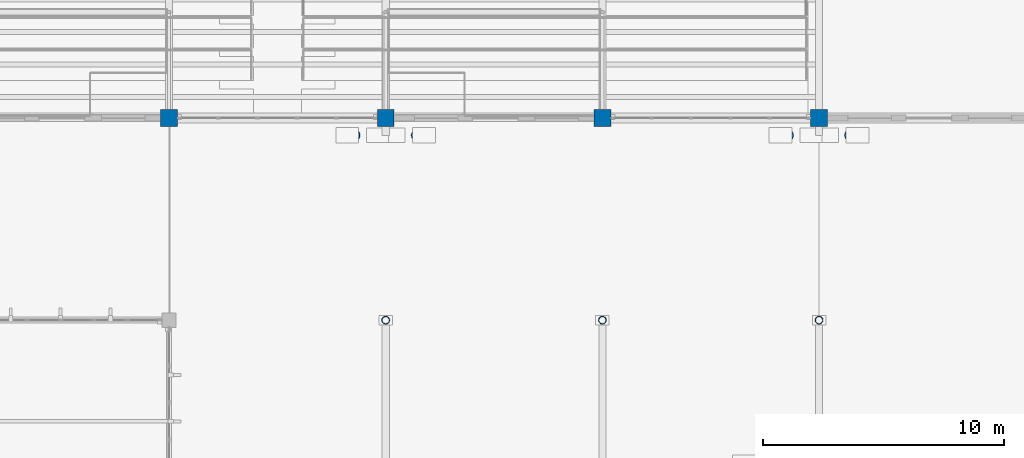
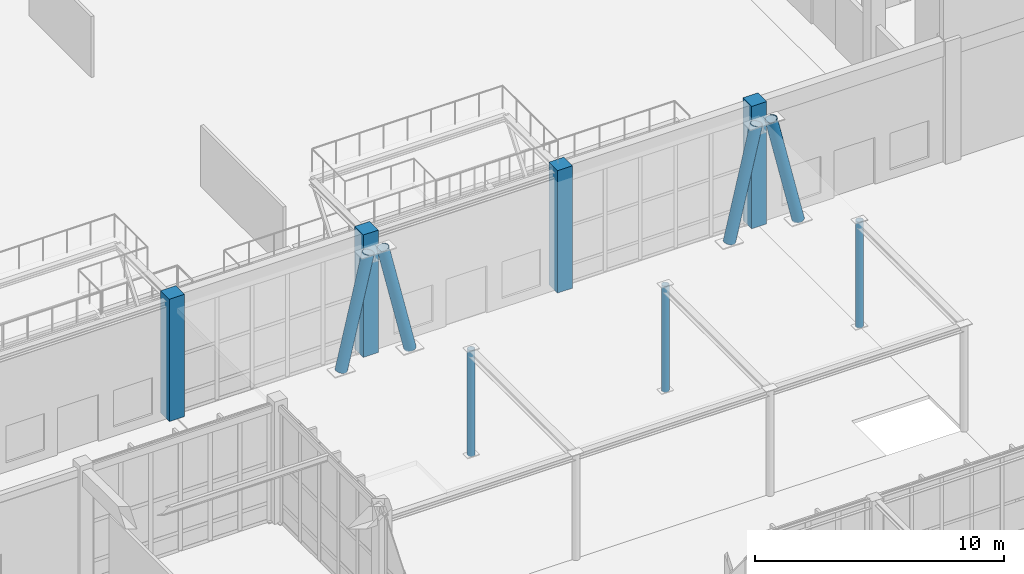
# One storey, part 7 of 110: 11 columns.
"""IFC4 building model written with IfcOpenShell, lengths in metres."""

from ifc_helpers import new_model, si_unit, direction, frame, origin, origin_2d, place, context, subcontext, project, spatial, rectangle, hollow_circle, extrude, material, material_profile, profile_set, type_object, element, save


model = new_model("IFC4")

# Units and contexts
model_context = context("Model", 3, precision=1e-05, world=origin(), true_north=direction((0.0, 1.0)))
body_context = subcontext(model_context, "Body", "Model", "MODEL_VIEW")
ifc_project = project(units=[si_unit("LENGTHUNIT", "METRE"), si_unit("AREAUNIT", "SQUARE_METRE"), si_unit("VOLUMEUNIT", "CUBIC_METRE"), si_unit("PLANEANGLEUNIT", "RADIAN"), si_unit("MASSUNIT", "GRAM", prefix="KILO")], contexts=[model_context])

# Site, building, storey
site_placement = place(None, origin())
site = spatial("IfcSite", under=ifc_project, at=site_placement, CompositionType="ELEMENT")
building_placement = place(site_placement, origin())
building = spatial("IfcBuilding", under=site, at=building_placement, Name="Tizgana Railside Sports Hall", CompositionType="ELEMENT")
storey_placement = place(building_placement, origin())
storey = spatial("IfcBuildingStorey", under=building, at=storey_placement, Name="L00", CompositionType="ELEMENT", Elevation=0.0)

# Columns
ifc_material_1 = material(Name="Concrete C40/50", Category="concrete")
ifc_material_profile_1 = material_profile(ifc_material_1, rectangle(XDim=0.699951171875, YDim=0.699951171875, at=origin_2d()), Name="RC 700x700")
ifc_profile_set_1 = profile_set([ifc_material_profile_1], Name="Concrete C40/50")
column_type_1 = type_object("IfcColumnType", Name="Concrete Column RC 700x700", PredefinedType="COLUMN", material=ifc_profile_set_1)
for number, where, z_axis, x_axis, name in (
    (1, (97.800048828125, 40.800048828125, 0.0), (0.0, 0.0, 1.0), (1.0, 0.0, 0.0), "L00 COL-0301"),
    (2, (106.800048828125, 40.800048828125, 0.0), (0.0, 0.0, 1.0), (1.0, 0.0, 0.0), "L00 COL-0322"),
    (3, (115.800048828125, 40.800048828125, 0.0), (0.0, 0.0, 1.0), (1.0, 0.0, 0.0), "L00 COL-0347"),
    (4, (124.800048828125, 40.800048828125, 0.0), (0.0, 0.0, 1.0), (1.0, 0.0, 0.0), "L00 COL-0368"),
):
    element("IfcColumn", number, at=place(storey_placement, frame(where, z_axis=z_axis, x_axis=x_axis)), inside=storey, type_object=column_type_1, Name=name, PredefinedType="COLUMN", context=body_context, shape_type="SweptSolid", body=[
        extrude(rectangle(XDim=0.699951171875, YDim=0.699951171875, at=origin_2d()), origin(), (0.0, 0.0, 1.0), 6.0),
    ])
ifc_material_2 = material(Name="Steel S355J2", Category="steel")
ifc_material_profile_2 = material_profile(ifc_material_2, hollow_circle(Radius=0.161865234375, WallThickness=0.01611328125, at=origin_2d()), Name="CHS 323.9x16")
ifc_profile_set_2 = profile_set([ifc_material_profile_2], Name="Steel S355J2")
column_type_2 = type_object("IfcColumnType", Name="Steel Column CHS 323.9x16", PredefinedType="COLUMN", material=ifc_profile_set_2)
for number, where, z_axis, x_axis, name in (
    (5, (106.800048828125, 32.39990234375, 0.0), (0.0, 0.0, 1.0), (1.0, 0.0, 0.0), "L00 COL-0863"),
    (6, (115.800048828125, 32.39990234375, 0.0), (0.0, 0.0, 1.0), (1.0, 0.0, 0.0), "L00 COL-0867"),
    (7, (124.800048828125, 32.39990234375, 0.0), (0.0, 0.0, 1.0), (1.0, 0.0, 0.0), "L00 COL-0871"),
):
    element("IfcColumn", number, at=place(storey_placement, frame(where, z_axis=z_axis, x_axis=x_axis)), inside=storey, type_object=column_type_2, Name=name, PredefinedType="COLUMN", context=body_context, shape_type="SweptSolid", body=[
        extrude(hollow_circle(Radius=0.161865234375, WallThickness=0.01611328125, at=origin_2d()), origin(), (0.0, 0.0, 1.0), 5.199951171875),
    ])
ifc_material_profile_3 = material_profile(ifc_material_2, hollow_circle(Radius=0.25390625, WallThickness=0.02001953125, at=origin_2d()), Name="CHS 508x20")
ifc_profile_set_3 = profile_set([ifc_material_profile_3], Name="Steel S355J2")
column_type_3 = type_object("IfcColumnType", Name="Steel Column CHS 508x20", PredefinedType="COLUMN", material=ifc_profile_set_3)
for number, where, z_axis, x_axis, name in (
    (8, (105.205078125, 40.080078125, 0.030029296875), (0.228365704217, 0.0, 0.973575423446), (0.0, 1.0, 0.0), "L00 Forecourt V-Column COL-0324"),
    (9, (108.39501953125, 40.080078125, 0.030029296875), (-0.228407815683, 0.0, 0.973565544653), (0.0, -1.0, 0.0), "L00 Forecourt V-Column COL-0326"),
    (10, (123.205078125, 40.080078125, 0.030029296875), (0.228365704217, 0.0, 0.973575423446), (0.0, 1.0, 0.0), "L00 Forecourt V-Column COL-0370"),
    (11, (126.39501953125, 40.080078125, 0.030029296875), (-0.228407815683, 0.0, 0.973565544653), (0.0, -1.0, 0.0), "L00 Forecourt V-Column COL-0372"),
):
    element("IfcColumn", number, at=place(storey_placement, frame(where, z_axis=z_axis, x_axis=x_axis)), inside=storey, type_object=column_type_3, Name=name, PredefinedType="COLUMN", context=body_context, shape_type="SweptSolid", body=[
        extrude(hollow_circle(Radius=0.25390625, WallThickness=0.02001953125, at=origin_2d()), origin(), (0.0, 0.0, 1.0), 5.4951171875),
    ])

save(model, "model.ifc")
